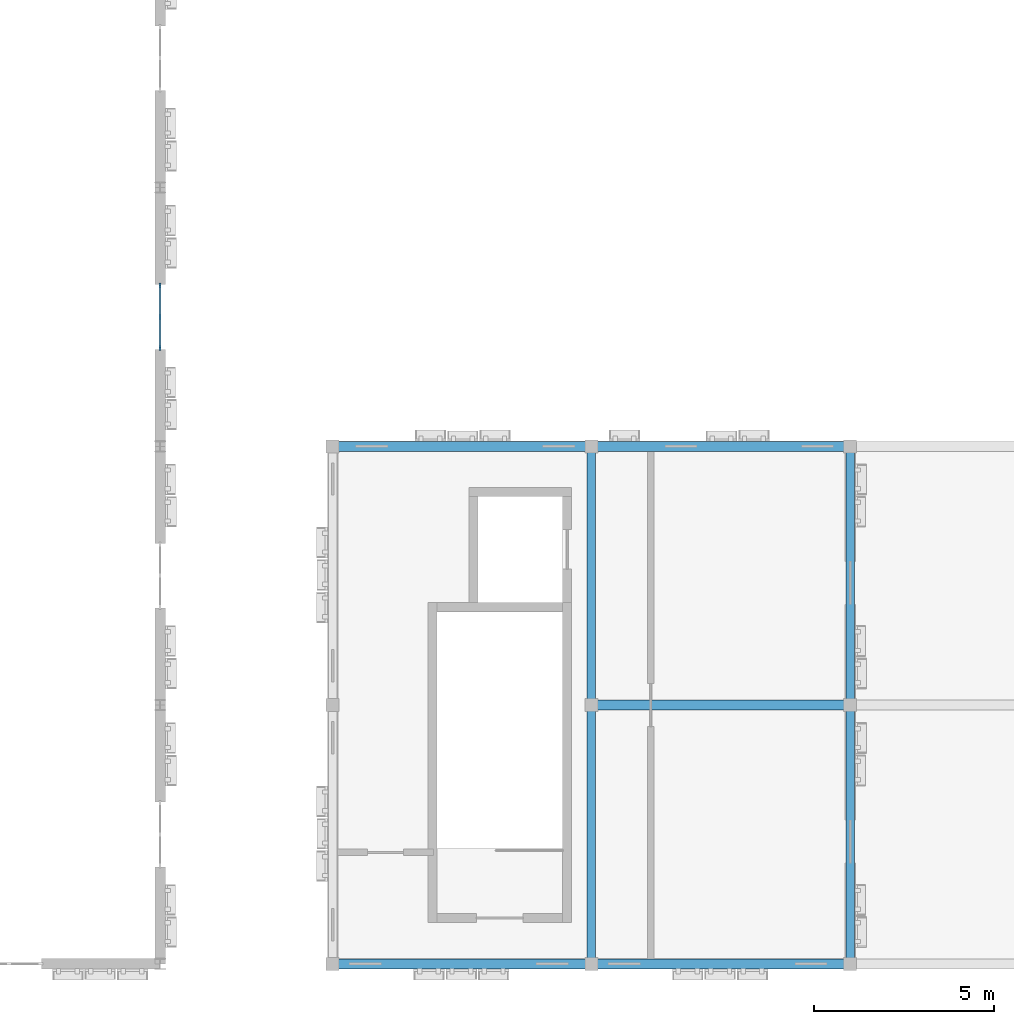
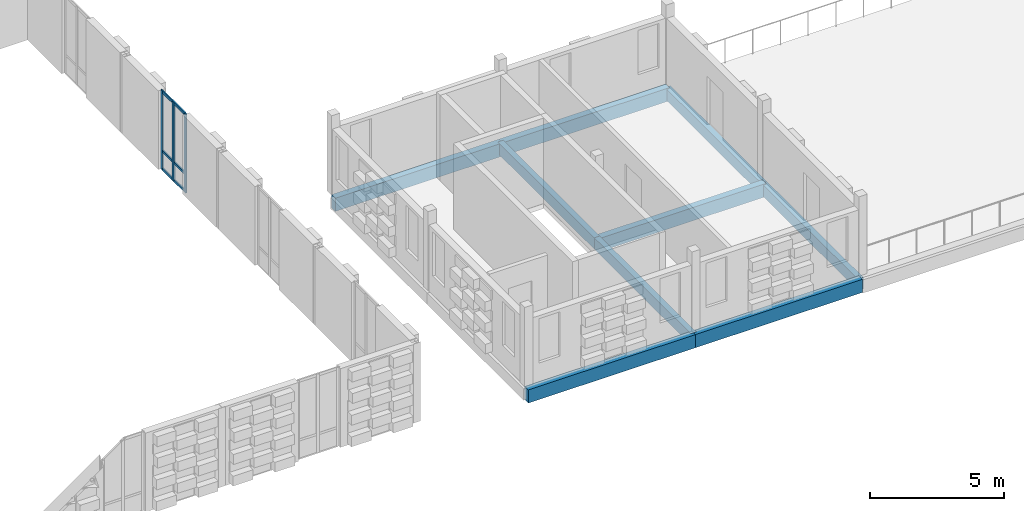
# One storey, part 9 of 57: 9 beams, 6 members, 1 element without a shape of its own.
"""IFC4 building model written with IfcOpenShell, lengths in metres."""

from ifc_helpers import new_model, si_unit, direction, frame, origin, origin_2d, place, context, subcontext, project, spatial, rectangle, extrude, material, material_profile, profile_set, type_object, element, aggregate, save


model = new_model("IFC4")

# Units and contexts
model_context = context("Model", 3, precision=1e-05, world=origin(), true_north=direction((0.0, 1.0)))
body_context = subcontext(model_context, "Body", "Model", "MODEL_VIEW")
ifc_project = project(units=[si_unit("LENGTHUNIT", "METRE"), si_unit("AREAUNIT", "SQUARE_METRE"), si_unit("VOLUMEUNIT", "CUBIC_METRE"), si_unit("PLANEANGLEUNIT", "RADIAN"), si_unit("MASSUNIT", "GRAM", prefix="KILO")], contexts=[model_context])

# Site, building, storey
site_placement = place(None, origin())
site = spatial("IfcSite", under=ifc_project, at=site_placement, CompositionType="ELEMENT")
building_placement = place(site_placement, origin())
building = spatial("IfcBuilding", under=site, at=building_placement, Name="Kahlenmark Community Centre", CompositionType="ELEMENT")
storey_placement = place(building_placement, frame((0.0, 0.0, 13.800048828125)))
storey = spatial("IfcBuildingStorey", under=building, at=storey_placement, Name="L03", CompositionType="ELEMENT", Elevation=13.800048828125)

# Beams
ifc_material_1 = material(Name="Glulam GL32h", Category="wood")
ifc_material_profile_1 = material_profile(ifc_material_1, rectangle(XDim=0.239990234375, YDim=0.52001953125, at=origin_2d()), Name="GL32h 240x520")
ifc_profile_set_1 = profile_set([ifc_material_profile_1], Name="Glulam GL32h")
beam_type_1 = type_object("IfcBeamType", Name="BT-BEAM-GL32h240x520", PredefinedType="BEAM", material=ifc_profile_set_1)
for number, where, z_axis, x_axis, name in (
    (1, (58.0, 8.800048828125, -0.47998046875), (0.0, 1.0, 0.0), (-1.0, 0.0, 0.0), "L03 beam BG-RF520"),
    (2, (58.0, 16.0, -0.47998046875), (0.0, 1.0, 0.0), (-1.0, 0.0, 0.0), "L03 beam BG-RF520"),
    (3, (65.199951171875, 8.800048828125, -0.52001953125), (0.0, 1.0, 0.0), (-1.0, 0.0, 0.0), "L03 beam BG-RF520"),
    (4, (65.199951171875, 16.0, -0.52001953125), (0.0, 1.0, 0.0), (-1.0, 0.0, 0.0), "L03 beam BG-RF520"),
):
    element("IfcBeam", number, at=place(storey_placement, frame(where, z_axis=z_axis, x_axis=x_axis)), inside=storey, type_object=beam_type_1, Name=name, PredefinedType="BEAM", context=body_context, shape_type="SweptSolid", body=[
        extrude(rectangle(XDim=0.239990234375, YDim=0.52001953125, at=origin_2d()), origin(), (0.0, 0.0, 1.0), 7.199951171875),
    ])
ifc_material_profile_2 = material_profile(ifc_material_1, rectangle(XDim=0.280029296875, YDim=0.60009765625, at=origin_2d()), Name="GL32h 280x600")
ifc_profile_set_2 = profile_set([ifc_material_profile_2], Name="Glulam GL32h")
beam_type_2 = type_object("IfcBeamType", Name="BT-BEAM-GL32h280x600", PredefinedType="BEAM", material=ifc_profile_set_2)
for number, where, z_axis, x_axis, name in (
    (5, (50.800048828125, 8.800048828125, -0.52001953125), (1.0, 0.0, 0.0), (0.0, 1.0, 0.0), "L03 beam BG-RF600"),
    (6, (58.0, 8.800048828125, -0.52001953125), (1.0, 0.0, 0.0), (0.0, 1.0, 0.0), "L03 beam BG-RF600"),
    (7, (58.0, 16.0, -0.52001953125), (1.0, 0.0, 0.0), (0.0, 1.0, 0.0), "L03 beam BG-RF600"),
    (8, (50.800048828125, 23.199951171875, -0.52001953125), (1.0, 0.0, 0.0), (0.0, 1.0, 0.0), "L03 beam BG-RF600"),
    (9, (58.0, 23.199951171875, -0.52001953125), (1.0, 0.0, 0.0), (0.0, 1.0, 0.0), "L03 beam BG-RF600"),
):
    element("IfcBeam", number, at=place(storey_placement, frame(where, z_axis=z_axis, x_axis=x_axis)), inside=storey, type_object=beam_type_2, Name=name, PredefinedType="BEAM", context=body_context, shape_type="SweptSolid", body=[
        extrude(rectangle(XDim=0.280029296875, YDim=0.60009765625, at=origin_2d()), origin(), (0.0, 0.0, 1.0), 7.199951171875),
    ])

# Curtain wall, members
ifc_material_2 = material(Name="Anodised aluminium unitised curtain wall", Category="aluminium")
curtain_wall_type = type_object("IfcCurtainWallType", Name="CWT-UNIT-180X359", PredefinedType="USERDEFINED", material=ifc_material_2)
curtain_wall_placement = place(storey_placement, origin())
curtain_wall = element("IfcCurtainWall", 10, at=curtain_wall_placement, inside=storey, type_object=curtain_wall_type, Name="Unitised curtain wall CW-117", ObjectType="UNITISED CURTAIN WALL", PredefinedType="USERDEFINED")
ifc_material_3 = material(Name="Anodised aluminium 6063-T6", Category="aluminium")
ifc_material_profile_3 = material_profile(ifc_material_3, rectangle(XDim=0.06005859375, YDim=0.139892578125, at=origin_2d()), Name="ALU MULLION 60x140")
ifc_profile_set_3 = profile_set([ifc_material_profile_3], Name="Anodised aluminium 6063-T6")
member_type_1 = type_object("IfcMemberType", Name="MT-MUL-140", PredefinedType="MULLION", material=ifc_profile_set_3)
member_1_placement = place(storey_placement, frame((46.0, 25.929931640625, 0.0), z_axis=(0.0, 0.0, 1.0), x_axis=(-1.0, 0.0, 0.0)))
member_1 = element("IfcMember", 11, at=member_1_placement, type_object=member_type_1, Name="CW-117 mullion 1", PredefinedType="MULLION", context=body_context, shape_type="SweptSolid", body=[
    extrude(rectangle(XDim=0.06005859375, YDim=0.139892578125, at=origin_2d()), origin(), (0.0, 0.0, 1.0), 3.58984375),
])
member_2_placement = place(storey_placement, frame((46.0, 26.800048828125, 0.0), z_axis=(0.0, 0.0, 1.0), x_axis=(-1.0, 0.0, 0.0)))
member_2 = element("IfcMember", 12, at=member_2_placement, type_object=member_type_1, Name="CW-117 mullion 2", PredefinedType="MULLION", context=body_context, shape_type="SweptSolid", body=[
    extrude(rectangle(XDim=0.06005859375, YDim=0.139892578125, at=origin_2d()), origin(), (0.0, 0.0, 1.0), 3.58984375),
])
member_3_placement = place(storey_placement, frame((46.0, 27.669921875, 0.0), z_axis=(0.0, 0.0, 1.0), x_axis=(-1.0, 0.0, 0.0)))
member_3 = element("IfcMember", 13, at=member_3_placement, type_object=member_type_1, Name="CW-117 mullion 3", PredefinedType="MULLION", context=body_context, shape_type="SweptSolid", body=[
    extrude(rectangle(XDim=0.06005859375, YDim=0.139892578125, at=origin_2d()), origin(), (0.0, 0.0, 1.0), 3.58984375),
])
ifc_material_profile_4 = material_profile(ifc_material_3, rectangle(XDim=0.06005859375, YDim=0.1201171875, at=origin_2d()), Name="ALU TRANSOM 60x120")
ifc_profile_set_4 = profile_set([ifc_material_profile_4], Name="Anodised aluminium 6063-T6")
member_type_2 = type_object("IfcMemberType", Name="MT-TRN-120", PredefinedType="USERDEFINED", material=ifc_profile_set_4)
member_4_placement = place(storey_placement, frame((46.0, 25.929931640625, 0.0400390625), z_axis=(0.0, 1.0, 0.0), x_axis=(-1.0, 0.0, 0.0)))
member_4 = element("IfcMember", 14, at=member_4_placement, type_object=member_type_2, Name="CW-117 transom 1", ObjectType="TRANSOM", PredefinedType="USERDEFINED", context=body_context, shape_type="SweptSolid", body=[
    extrude(rectangle(XDim=0.06005859375, YDim=0.1201171875, at=origin_2d()), origin(), (0.0, 0.0, 1.0), 1.739990234375),
])
member_5_placement = place(storey_placement, frame((46.0, 25.929931640625, 0.849853515625), z_axis=(0.0, 1.0, 0.0), x_axis=(-1.0, 0.0, 0.0)))
member_5 = element("IfcMember", 15, at=member_5_placement, type_object=member_type_2, Name="CW-117 transom 2", ObjectType="TRANSOM", PredefinedType="USERDEFINED", context=body_context, shape_type="SweptSolid", body=[
    extrude(rectangle(XDim=0.06005859375, YDim=0.1201171875, at=origin_2d()), origin(), (0.0, 0.0, 1.0), 1.739990234375),
])
member_6_placement = place(storey_placement, frame((46.0, 25.929931640625, 3.550048828125), z_axis=(0.0, 1.0, 0.0), x_axis=(-1.0, 0.0, 0.0)))
member_6 = element("IfcMember", 16, at=member_6_placement, type_object=member_type_2, Name="CW-117 transom 3", ObjectType="TRANSOM", PredefinedType="USERDEFINED", context=body_context, shape_type="SweptSolid", body=[
    extrude(rectangle(XDim=0.06005859375, YDim=0.1201171875, at=origin_2d()), origin(), (0.0, 0.0, 1.0), 1.739990234375),
])
aggregate(curtain_wall, [member_1, member_2, member_3, member_4, member_5, member_6])

save(model, "model.ifc")
